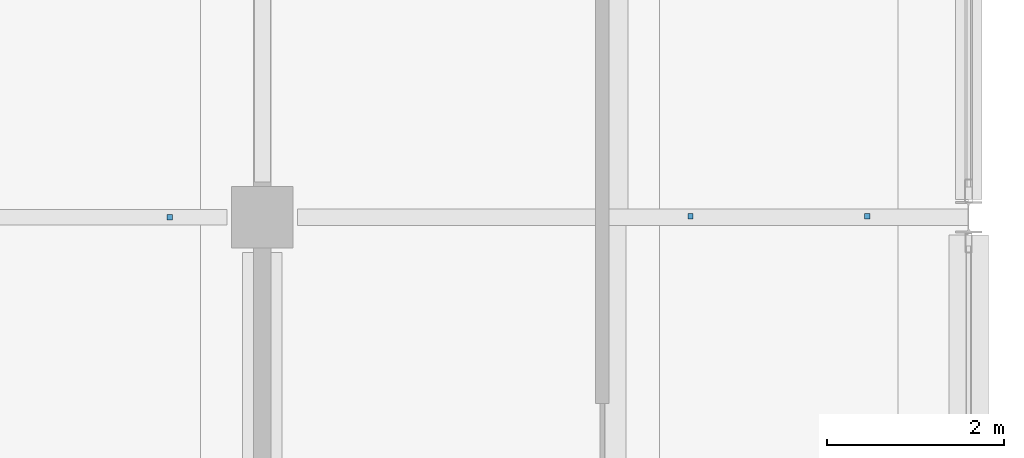
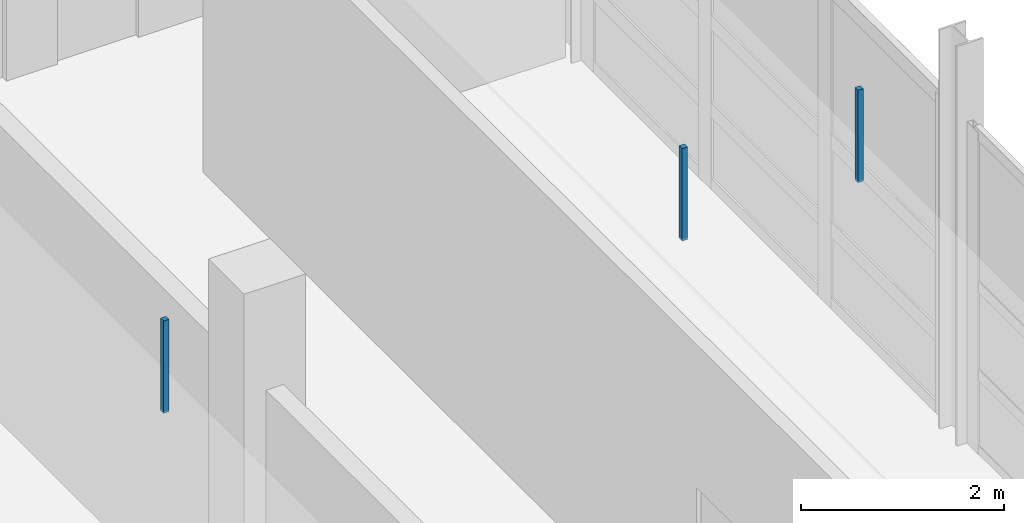
# One storey, part 116 of 141: 3 discrete accessories.
"""IFC4 building model written with IfcOpenShell, lengths in metres."""

from ifc_helpers import new_model, si_unit, direction, frame, origin, origin_2d, place, context, subcontext, project, spatial, rectangle, extrude, material, type_object, element, save


model = new_model("IFC4")

# Units and contexts
model_context = context("Model", 3, precision=1e-05, world=origin(), true_north=direction((0.0, 1.0)))
body_context = subcontext(model_context, "Body", "Model", "MODEL_VIEW")
ifc_project = project(units=[si_unit("LENGTHUNIT", "METRE"), si_unit("AREAUNIT", "SQUARE_METRE"), si_unit("VOLUMEUNIT", "CUBIC_METRE"), si_unit("PLANEANGLEUNIT", "RADIAN"), si_unit("MASSUNIT", "GRAM", prefix="KILO")], contexts=[model_context])

# Site, building, storey
site_placement = place(None, origin())
site = spatial("IfcSite", under=ifc_project, at=site_placement, CompositionType="ELEMENT")
building_placement = place(site_placement, origin())
building = spatial("IfcBuilding", under=site, at=building_placement, Name="Khelvaren Railside Concert Hall", CompositionType="ELEMENT")
storey_placement = place(building_placement, frame((0.0, 0.0, 10.199951171875)))
storey = spatial("IfcBuildingStorey", under=building, at=storey_placement, Name="L02", CompositionType="ELEMENT", Elevation=10.199951171875)

# Discrete accessories
ifc_material = material(Name="Galvanised steel acoustic ceiling hanger rod", Category="steel")
discrete_accessory_type = type_object("IfcDiscreteAccessoryType", Name="BRK62", PredefinedType="BRACKET", material=ifc_material)
for number, where, z_axis, x_axis, name in (
    (1, (174.949951171875, 15.199951171875, 3.43017578125), (0.0, 0.0, 1.0), (1.0, 0.0, 0.0), "Acoustic Ceiling Suspension Bracket 51-2"),
    (2, (180.85009765625, 15.2099609375, 3.43017578125), (0.0, 0.0, 1.0), (1.0, 0.0, 0.0), "Acoustic Ceiling Suspension Bracket 52-1"),
    (3, (182.85009765625, 15.2099609375, 3.43017578125), (0.0, 0.0, 1.0), (1.0, 0.0, 0.0), "Acoustic Ceiling Suspension Bracket 52-2"),
):
    element("IfcDiscreteAccessory", number, at=place(storey_placement, frame(where, z_axis=z_axis, x_axis=x_axis)), inside=storey, type_object=discrete_accessory_type, Name=name, PredefinedType="BRACKET", context=body_context, shape_type="SweptSolid", body=[
        extrude(rectangle(XDim=0.06005859375, YDim=0.06005859375, at=origin_2d()), origin(), (0.0, 0.0, 1.0), 1.110107421875),
    ])

save(model, "model.ifc")
